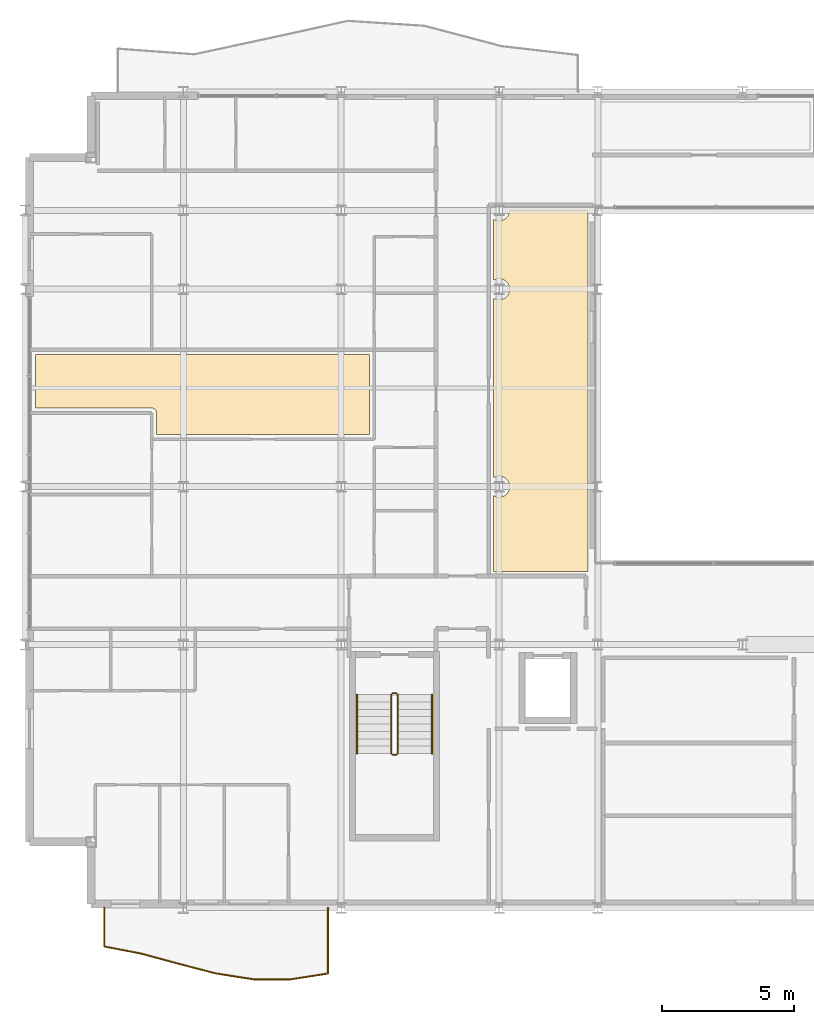
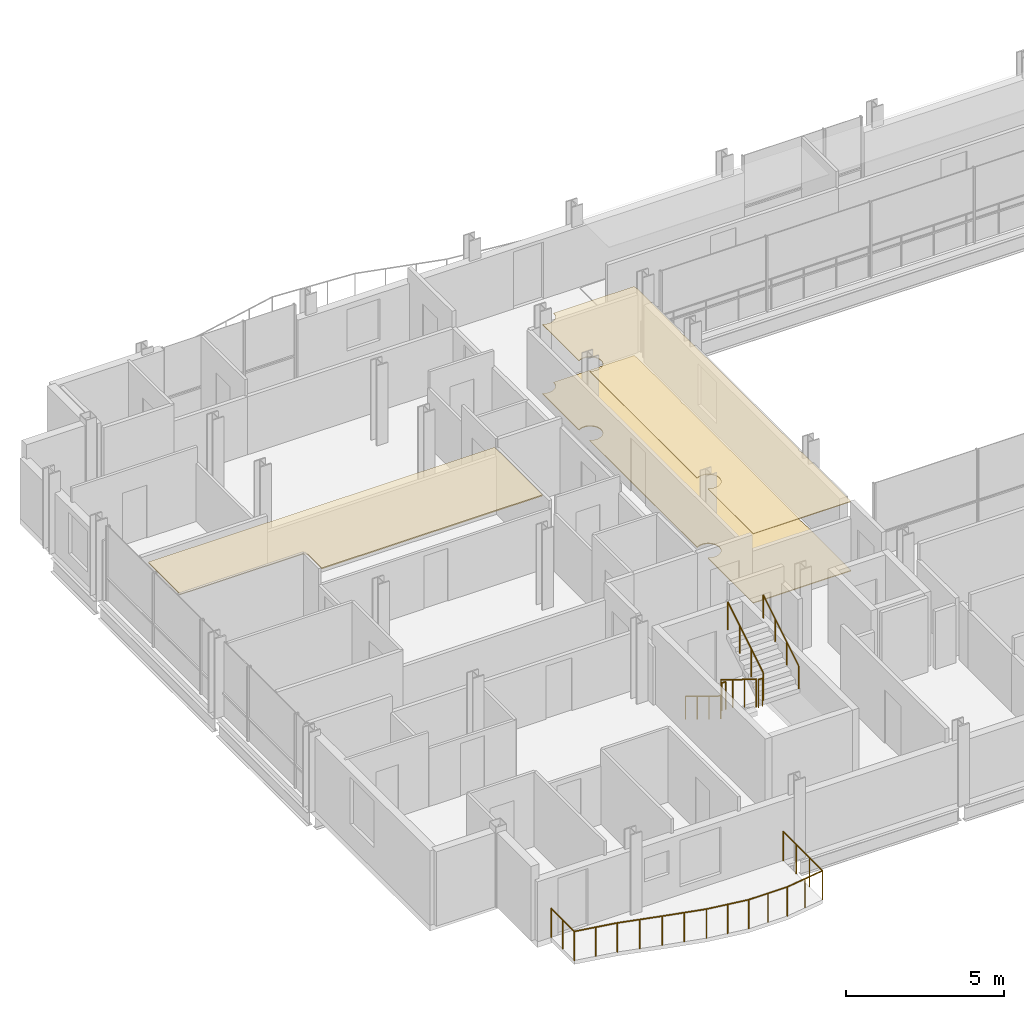
# One storey, part 39 of 41: 7 railings, 3 coverings.
"""IFC4 building model written with IfcOpenShell, lengths in metres."""

from ifc_helpers import new_model, si_unit, direction, frame, origin, origin_2d, place, context, subcontext, project, spatial, polyline, circle, outline, extrude, material, layer, layer_set, type_object, element, save


model = new_model("IFC4")

# Units and contexts
model_context = context("Model", 3, precision=1e-05, world=origin(), true_north=direction((0.0, 1.0)))
body_context = subcontext(model_context, "Body", "Model", "MODEL_VIEW")
ifc_project = project(units=[si_unit("LENGTHUNIT", "METRE"), si_unit("AREAUNIT", "SQUARE_METRE"), si_unit("VOLUMEUNIT", "CUBIC_METRE"), si_unit("PLANEANGLEUNIT", "RADIAN"), si_unit("MASSUNIT", "GRAM", prefix="KILO")], contexts=[model_context])

# Site, building, storey
site_placement = place(None, origin())
site = spatial("IfcSite", under=ifc_project, at=site_placement, CompositionType="ELEMENT")
building_placement = place(site_placement, origin())
building = spatial("IfcBuilding", under=site, at=building_placement, Name="Brevholm Reach", CompositionType="ELEMENT")
storey_placement = place(building_placement, frame((0.0, 0.0, 163.5)))
storey = spatial("IfcBuildingStorey", under=building, at=storey_placement, Name="L49", CompositionType="ELEMENT", Elevation=163.5)

# Coverings
ifc_material_1 = material(Name="Perforated Mineral-Fibre Class-A Acoustic Suspended Ceiling", Category="gypsum")
ifc_layer_1 = layer(ifc_material_1, 0.044921875)
ifc_layer_set_1 = layer_set([ifc_layer_1], Name="Perforated Mineral-Fibre Class-A Acoustic Suspended Ceiling")
covering_type_1 = type_object("IfcCoveringType", Name="COV-CLG-AC", PredefinedType="CEILING", material=ifc_layer_set_1)
covering_1_placement = place(storey_placement, frame((0.0, 0.0, 2.6650390625)))
element("IfcCovering", 1, at=covering_1_placement, inside=storey, type_object=covering_type_1, Name="L49 Suspended Ceiling L49-39", PredefinedType="CEILING", context=body_context, shape_type="SweptSolid", body=[
    extrude(outline(polyline([(0.3798828125, 21.02001953125), (13.070068359375, 21.02001953125), (13.070068359375, 17.97998046875), (4.98388671875, 17.97998046875), (4.98388671875, 18.800048828125), (4.983154296875, 18.817626953125), (4.98046875, 18.835205078125), (4.976318359375, 18.852294921875), (4.97021484375, 18.868896484375), (4.962890625, 18.884765625), (4.95361328125, 18.89990234375), (4.943115234375, 18.914306640625), (4.93994140625, 18.918212890625), (4.927978515625, 18.93115234375), (4.9150390625, 18.943115234375), (4.90087890625, 18.95361328125), (4.8857421875, 18.962646484375), (4.86962890625, 18.97021484375), (4.85302734375, 18.97607421875), (4.8359375, 18.98046875), (4.818359375, 18.98291015625), (4.80078125, 18.98388671875), (0.3798828125, 18.98388671875), (0.3798828125, 21.02001953125)])), origin(), (0.0, 0.0, 1.0), 0.044921875),
])
ifc_material_2 = material(Name="Moisture-Resistant Skimmed Gypsum Plasterboard Ceiling", Category="gypsum")
ifc_layer_2 = layer(ifc_material_2, 0.030029296875)
ifc_layer_set_2 = layer_set([ifc_layer_2], Name="Moisture-Resistant Skimmed Gypsum Plasterboard Ceiling")
covering_type_2 = type_object("IfcCoveringType", Name="COV-CLG-GYP", PredefinedType="CEILING", material=ifc_layer_set_2)
covering_2_placement = place(storey_placement, frame((0.0, 0.0, 2.679931640625)))
element("IfcCovering", 2, at=covering_2_placement, inside=storey, type_object=covering_type_2, Name="L49 Suspended Ceiling L49-55", PredefinedType="CEILING", context=body_context, shape_type="SweptSolid", body=[
    extrude(outline(polyline([(21.3701171875, 23.623779296875), (21.3671875, 23.6162109375), (21.357666015625, 23.577880859375), (21.351806640625, 23.539306640625), (21.35009765625, 23.5), (21.351806640625, 23.460693359375), (21.357666015625, 23.422119140625), (21.3671875, 23.3837890625), (21.3701171875, 23.376220703125), (21.3701171875, 16.123779296875), (21.3671875, 16.1162109375), (21.357666015625, 16.077880859375), (21.351806640625, 16.039306640625), (21.35009765625, 16.0), (21.351806640625, 15.960693359375), (21.357666015625, 15.922119140625), (21.3671875, 15.8837890625), (21.3701171875, 15.876220703125), (21.3701171875, 12.783935546875), (17.783935546875, 12.783935546875), (17.783935546875, 15.663818359375), (17.811279296875, 15.647216796875), (17.846923828125, 15.63037109375), (17.8837890625, 15.6171875), (17.922119140625, 15.607666015625), (17.960693359375, 15.601806640625), (18.0, 15.60009765625), (18.039306640625, 15.601806640625), (18.077880859375, 15.607666015625), (18.1162109375, 15.6171875), (18.153076171875, 15.63037109375), (18.188720703125, 15.647216796875), (18.22216796875, 15.66748046875), (18.25390625, 15.69091796875), (18.28271484375, 15.71728515625), (18.30908203125, 15.74609375), (18.33251953125, 15.77783203125), (18.352783203125, 15.811279296875), (18.36962890625, 15.846923828125), (18.3828125, 15.8837890625), (18.392333984375, 15.922119140625), (18.398193359375, 15.960693359375), (18.39990234375, 16.0), (18.398193359375, 16.039306640625), (18.392333984375, 16.077880859375), (18.3828125, 16.1162109375), (18.36962890625, 16.153076171875), (18.352783203125, 16.188720703125), (18.33251953125, 16.22216796875), (18.30908203125, 16.25390625), (18.28271484375, 16.28271484375), (18.25390625, 16.30908203125), (18.22216796875, 16.33251953125), (18.188720703125, 16.352783203125), (18.153076171875, 16.36962890625), (18.1162109375, 16.3828125), (18.077880859375, 16.392333984375), (18.039306640625, 16.398193359375), (18.0, 16.39990234375), (17.960693359375, 16.398193359375), (17.922119140625, 16.392333984375), (17.8837890625, 16.3828125), (17.846923828125, 16.36962890625), (17.811279296875, 16.352783203125), (17.783935546875, 16.336181640625), (17.783935546875, 23.163818359375), (17.811279296875, 23.147216796875), (17.846923828125, 23.13037109375), (17.8837890625, 23.1171875), (17.922119140625, 23.107666015625), (17.960693359375, 23.101806640625), (18.0, 23.10009765625), (18.039306640625, 23.101806640625), (18.077880859375, 23.107666015625), (18.1162109375, 23.1171875), (18.153076171875, 23.13037109375), (18.188720703125, 23.147216796875), (18.22216796875, 23.16748046875), (18.25390625, 23.19091796875), (18.28271484375, 23.21728515625), (18.30908203125, 23.24609375), (18.33251953125, 23.27783203125), (18.352783203125, 23.311279296875), (18.36962890625, 23.346923828125), (18.3828125, 23.3837890625), (18.392333984375, 23.422119140625), (18.398193359375, 23.460693359375), (18.39990234375, 23.5), (18.398193359375, 23.539306640625), (18.392333984375, 23.577880859375), (18.3828125, 23.6162109375), (18.36962890625, 23.653076171875), (18.352783203125, 23.688720703125), (18.33251953125, 23.72216796875), (18.30908203125, 23.75390625), (18.28271484375, 23.78271484375), (18.25390625, 23.80908203125), (18.22216796875, 23.83251953125), (18.188720703125, 23.852783203125), (18.153076171875, 23.86962890625), (18.1162109375, 23.8828125), (18.077880859375, 23.892333984375), (18.039306640625, 23.898193359375), (18.0, 23.89990234375), (17.960693359375, 23.898193359375), (17.922119140625, 23.892333984375), (17.8837890625, 23.8828125), (17.846923828125, 23.86962890625), (17.811279296875, 23.852783203125), (17.783935546875, 23.836181640625), (17.783935546875, 26.163818359375), (17.811279296875, 26.147216796875), (17.846923828125, 26.13037109375), (17.8837890625, 26.1171875), (17.922119140625, 26.107666015625), (17.960693359375, 26.101806640625), (18.0, 26.10009765625), (18.039306640625, 26.101806640625), (18.077880859375, 26.107666015625), (18.1162109375, 26.1171875), (18.153076171875, 26.13037109375), (18.188720703125, 26.147216796875), (18.22216796875, 26.16748046875), (18.25390625, 26.19091796875), (18.28271484375, 26.21728515625), (18.30908203125, 26.24609375), (18.33251953125, 26.27783203125), (18.352783203125, 26.311279296875), (18.36962890625, 26.346923828125), (18.3828125, 26.3837890625), (18.392333984375, 26.422119140625), (18.398193359375, 26.460693359375), (18.39990234375, 26.5), (18.399169921875, 26.51611328125), (21.350830078125, 26.51611328125), (21.35009765625, 26.5), (21.351806640625, 26.460693359375), (21.357666015625, 26.422119140625), (21.3671875, 26.3837890625), (21.3701171875, 26.376220703125), (21.3701171875, 23.623779296875)])), origin(), (0.0, 0.0, 1.0), 0.030029296875),
])
ifc_material_3 = material(Name="Honed Portland-Aggregate Resin Terrazzo Flooring", Category="concrete")
ifc_layer_3 = layer(ifc_material_3, 0.031982421875)
ifc_layer_set_3 = layer_set([ifc_layer_3], Name="Honed Portland-Aggregate Resin Terrazzo Flooring")
covering_type_3 = type_object("IfcCoveringType", Name="COV-FLR-TRZ", PredefinedType="FLOORING", material=ifc_layer_set_3)
covering_3_placement = place(storey_placement, origin())
element("IfcCovering", 3, at=covering_3_placement, inside=storey, type_object=covering_type_3, Name="L49 Floor Finish L49-55", PredefinedType="FLOORING", context=body_context, shape_type="SweptSolid", body=[
    extrude(outline(polyline([(21.3701171875, 23.623779296875), (21.3671875, 23.6162109375), (21.357666015625, 23.577880859375), (21.351806640625, 23.539306640625), (21.35009765625, 23.5), (21.351806640625, 23.460693359375), (21.357666015625, 23.422119140625), (21.3671875, 23.3837890625), (21.3701171875, 23.376220703125), (21.3701171875, 16.123779296875), (21.3671875, 16.1162109375), (21.357666015625, 16.077880859375), (21.351806640625, 16.039306640625), (21.35009765625, 16.0), (21.351806640625, 15.960693359375), (21.357666015625, 15.922119140625), (21.3671875, 15.8837890625), (21.3701171875, 15.876220703125), (21.3701171875, 12.783935546875), (17.783935546875, 12.783935546875), (17.783935546875, 15.663818359375), (17.811279296875, 15.647216796875), (17.846923828125, 15.63037109375), (17.8837890625, 15.6171875), (17.922119140625, 15.607666015625), (17.960693359375, 15.601806640625), (18.0, 15.60009765625), (18.039306640625, 15.601806640625), (18.077880859375, 15.607666015625), (18.1162109375, 15.6171875), (18.153076171875, 15.63037109375), (18.188720703125, 15.647216796875), (18.22216796875, 15.66748046875), (18.25390625, 15.69091796875), (18.28271484375, 15.71728515625), (18.30908203125, 15.74609375), (18.33251953125, 15.77783203125), (18.352783203125, 15.811279296875), (18.36962890625, 15.846923828125), (18.3828125, 15.8837890625), (18.392333984375, 15.922119140625), (18.398193359375, 15.960693359375), (18.39990234375, 16.0), (18.398193359375, 16.039306640625), (18.392333984375, 16.077880859375), (18.3828125, 16.1162109375), (18.36962890625, 16.153076171875), (18.352783203125, 16.188720703125), (18.33251953125, 16.22216796875), (18.30908203125, 16.25390625), (18.28271484375, 16.28271484375), (18.25390625, 16.30908203125), (18.22216796875, 16.33251953125), (18.188720703125, 16.352783203125), (18.153076171875, 16.36962890625), (18.1162109375, 16.3828125), (18.077880859375, 16.392333984375), (18.039306640625, 16.398193359375), (18.0, 16.39990234375), (17.960693359375, 16.398193359375), (17.922119140625, 16.392333984375), (17.8837890625, 16.3828125), (17.846923828125, 16.36962890625), (17.811279296875, 16.352783203125), (17.783935546875, 16.336181640625), (17.783935546875, 23.163818359375), (17.811279296875, 23.147216796875), (17.846923828125, 23.13037109375), (17.8837890625, 23.1171875), (17.922119140625, 23.107666015625), (17.960693359375, 23.101806640625), (18.0, 23.10009765625), (18.039306640625, 23.101806640625), (18.077880859375, 23.107666015625), (18.1162109375, 23.1171875), (18.153076171875, 23.13037109375), (18.188720703125, 23.147216796875), (18.22216796875, 23.16748046875), (18.25390625, 23.19091796875), (18.28271484375, 23.21728515625), (18.30908203125, 23.24609375), (18.33251953125, 23.27783203125), (18.352783203125, 23.311279296875), (18.36962890625, 23.346923828125), (18.3828125, 23.3837890625), (18.392333984375, 23.422119140625), (18.398193359375, 23.460693359375), (18.39990234375, 23.5), (18.398193359375, 23.539306640625), (18.392333984375, 23.577880859375), (18.3828125, 23.6162109375), (18.36962890625, 23.653076171875), (18.352783203125, 23.688720703125), (18.33251953125, 23.72216796875), (18.30908203125, 23.75390625), (18.28271484375, 23.78271484375), (18.25390625, 23.80908203125), (18.22216796875, 23.83251953125), (18.188720703125, 23.852783203125), (18.153076171875, 23.86962890625), (18.1162109375, 23.8828125), (18.077880859375, 23.892333984375), (18.039306640625, 23.898193359375), (18.0, 23.89990234375), (17.960693359375, 23.898193359375), (17.922119140625, 23.892333984375), (17.8837890625, 23.8828125), (17.846923828125, 23.86962890625), (17.811279296875, 23.852783203125), (17.783935546875, 23.836181640625), (17.783935546875, 26.163818359375), (17.811279296875, 26.147216796875), (17.846923828125, 26.13037109375), (17.8837890625, 26.1171875), (17.922119140625, 26.107666015625), (17.960693359375, 26.101806640625), (18.0, 26.10009765625), (18.039306640625, 26.101806640625), (18.077880859375, 26.107666015625), (18.1162109375, 26.1171875), (18.153076171875, 26.13037109375), (18.188720703125, 26.147216796875), (18.22216796875, 26.16748046875), (18.25390625, 26.19091796875), (18.28271484375, 26.21728515625), (18.30908203125, 26.24609375), (18.33251953125, 26.27783203125), (18.352783203125, 26.311279296875), (18.36962890625, 26.346923828125), (18.3828125, 26.3837890625), (18.392333984375, 26.422119140625), (18.398193359375, 26.460693359375), (18.39990234375, 26.5), (18.399169921875, 26.51611328125), (21.350830078125, 26.51611328125), (21.35009765625, 26.5), (21.351806640625, 26.460693359375), (21.357666015625, 26.422119140625), (21.3671875, 26.3837890625), (21.3701171875, 26.376220703125), (21.3701171875, 23.623779296875)])), origin(), (0.0, 0.0, 1.0), 0.031982421875),
])

# Railings
ifc_material_4 = material(Name="Brushed Stainless Steel EN 1.4401 and Laminated Glass", Category="steel")
railing_type_1 = type_object("IfcRailingType", Name="RAL-BALC-1150", PredefinedType="BALUSTRADE", material=ifc_material_4)
railing_1_placement = place(storey_placement, frame((3.0, 0.0, 0.0)))
element("IfcRailing", 4, at=railing_1_placement, inside=storey, type_object=railing_type_1, Name="L49 Guard Balustrade RAL-L49-BAL-SW", PredefinedType="BALUSTRADE", context=body_context, shape_type="SweptSolid", body=[
    extrude(circle(Radius=0.02392578125, at=origin_2d()), frame((0.0, 0.0, 1.1259765625), z_axis=(0.0, -1.0, 0.0), x_axis=(1.0, 0.0, 0.0)), (0.0, 0.0, 1.0), 1.4736328125),
    extrude(circle(Radius=0.02392578125, at=origin_2d()), frame((0.0, -1.4736328125, 1.1259765625), z_axis=(0.981784941083, -0.189995603797, 0.0), x_axis=(0.189995603797, 0.981784941083, 0.0)), (0.0, 0.0, 1.0), 1.443115234375),
    extrude(circle(Radius=0.02392578125, at=origin_2d()), frame((1.416748046875, -1.747802734375, 1.1259765625), z_axis=(0.964821360478, -0.262906337628, 0.0), x_axis=(0.262906337628, 0.964821360478, 0.0)), (0.0, 0.0, 1.0), 1.46826171875),
    extrude(circle(Radius=0.02392578125, at=origin_2d()), frame((2.833251953125, -2.1337890625, 1.1259765625), z_axis=(0.968218696825, -0.250105088151, 0.0), x_axis=(0.250105088151, 0.968218696825, 0.0)), (0.0, 0.0, 1.0), 1.463134765625),
    extrude(circle(Radius=0.02392578125, at=origin_2d()), frame((4.25, -2.499755859375, 1.1259765625), z_axis=(0.988082538492, -0.153924972393, 0.0), x_axis=(0.153924972393, 0.988082538492, 0.0)), (0.0, 0.0, 1.0), 1.433837890625),
    extrude(circle(Radius=0.02392578125, at=origin_2d()), frame((5.666748046875, -2.720458984375, 1.1259765625), z_axis=(1.0, 0.0, 0.0), x_axis=(0.0, 1.0, 0.0)), (0.0, 0.0, 1.0), 1.41650390625),
    extrude(circle(Radius=0.02392578125, at=origin_2d()), frame((7.083251953125, -2.720458984375, 1.1259765625), z_axis=(0.988082538492, 0.153924972393, 0.0), x_axis=(-0.153924972393, 0.988082538492, 0.0)), (0.0, 0.0, 1.0), 1.433837890625),
    extrude(circle(Radius=0.02392578125, at=origin_2d()), frame((8.5, -2.499755859375, 1.1259765625), z_axis=(0.0, 1.0, 0.0), x_axis=(-1.0, 0.0, 0.0)), (0.0, 0.0, 1.0), 2.499755859375),
    extrude(circle(Radius=0.02099609375, at=origin_2d()), origin(), (0.0, 0.0, 1.0), 1.101806640625),
    extrude(circle(Radius=0.02099609375, at=origin_2d()), frame((0.0, -0.73681640625, 0.0)), (0.0, 0.0, 1.0), 1.101806640625),
    extrude(circle(Radius=0.02099609375, at=origin_2d()), frame((0.0, -1.4736328125, 0.0)), (0.0, 0.0, 1.0), 1.101806640625),
    extrude(circle(Radius=0.02099609375, at=origin_2d()), frame((0.70849609375, -1.61083984375, 0.0)), (0.0, 0.0, 1.0), 1.101806640625),
    extrude(circle(Radius=0.02099609375, at=origin_2d()), frame((1.416748046875, -1.747802734375, 0.0)), (0.0, 0.0, 1.0), 1.101806640625),
    extrude(circle(Radius=0.02099609375, at=origin_2d()), frame((2.125, -1.94091796875, 0.0)), (0.0, 0.0, 1.0), 1.101806640625),
    extrude(circle(Radius=0.02099609375, at=origin_2d()), frame((2.833251953125, -2.1337890625, 0.0)), (0.0, 0.0, 1.0), 1.101806640625),
    extrude(circle(Radius=0.02099609375, at=origin_2d()), frame((3.54150390625, -2.31689453125, 0.0)), (0.0, 0.0, 1.0), 1.101806640625),
    extrude(circle(Radius=0.02099609375, at=origin_2d()), frame((4.25, -2.499755859375, 0.0)), (0.0, 0.0, 1.0), 1.101806640625),
    extrude(circle(Radius=0.02099609375, at=origin_2d()), frame((4.95849609375, -2.610107421875, 0.0)), (0.0, 0.0, 1.0), 1.101806640625),
    extrude(circle(Radius=0.02099609375, at=origin_2d()), frame((5.666748046875, -2.720458984375, 0.0)), (0.0, 0.0, 1.0), 1.101806640625),
    extrude(circle(Radius=0.02099609375, at=origin_2d()), frame((6.375, -2.720458984375, 0.0)), (0.0, 0.0, 1.0), 1.101806640625),
    extrude(circle(Radius=0.02099609375, at=origin_2d()), frame((7.083251953125, -2.720458984375, 0.0)), (0.0, 0.0, 1.0), 1.101806640625),
    extrude(circle(Radius=0.02099609375, at=origin_2d()), frame((7.79150390625, -2.610107421875, 0.0)), (0.0, 0.0, 1.0), 1.101806640625),
    extrude(circle(Radius=0.02099609375, at=origin_2d()), frame((8.5, -2.499755859375, 0.0)), (0.0, 0.0, 1.0), 1.101806640625),
    extrude(circle(Radius=0.02099609375, at=origin_2d()), frame((8.5, -1.66650390625, 0.0)), (0.0, 0.0, 1.0), 1.101806640625),
    extrude(circle(Radius=0.02099609375, at=origin_2d()), frame((8.5, -0.833251953125, 0.0)), (0.0, 0.0, 1.0), 1.101806640625),
    extrude(circle(Radius=0.02099609375, at=origin_2d()), frame((8.5, 0.0, 0.0)), (0.0, 0.0, 1.0), 1.101806640625),
])
ifc_material_5 = material(Name="Brushed Stainless Steel EN 1.4401 Continuous Handrail", Category="steel")
railing_type_2 = type_object("IfcRailingType", Name="RAL-HND-950", PredefinedType="HANDRAIL", material=ifc_material_5)
railing_2_placement = place(storey_placement, frame((12.60009765625, 8.10009765625, 0.172119140625)))
element("IfcRailing", 5, at=railing_2_placement, inside=storey, type_object=railing_type_2, Name="L49 ST-1 stair handrail 1", PredefinedType="HANDRAIL", context=body_context, shape_type="SweptSolid", body=[
    extrude(circle(Radius=0.02392578125, at=origin_2d()), frame((0.0, 0.0, 0.8857421875), z_axis=(0.0, -0.851747552033, 0.523952390591), x_axis=(1.0, 0.0, 0.0)), (0.0, 0.0, 1.0), 2.6298828125),
    extrude(circle(Radius=0.02099609375, at=origin_2d()), origin(), (0.0, 0.0, 1.0), 0.86181640625),
    extrude(circle(Radius=0.02099609375, at=origin_2d()), frame((0.0, -0.74658203125, 0.459228515625)), (0.0, 0.0, 1.0), 0.86181640625),
    extrude(circle(Radius=0.02099609375, at=origin_2d()), frame((0.0, -1.493408203125, 0.918701171875)), (0.0, 0.0, 1.0), 0.86181640625),
    extrude(circle(Radius=0.02099609375, at=origin_2d()), frame((0.0, -2.239990234375, 1.3779296875)), (0.0, 0.0, 1.0), 0.86181640625),
])
railing_3_placement = place(storey_placement, frame((15.449951171875, 5.860107421875, 1.72216796875)))
element("IfcRailing", 6, at=railing_3_placement, inside=storey, type_object=railing_type_2, Name="L49 ST-1 stair handrail 2", PredefinedType="HANDRAIL", context=body_context, shape_type="SweptSolid", body=[
    extrude(circle(Radius=0.02392578125, at=origin_2d()), frame((0.0, 0.0, 0.8857421875), z_axis=(0.0, 0.851747552033, 0.523952390591), x_axis=(-1.0, 0.0, 0.0)), (0.0, 0.0, 1.0), 2.6298828125),
    extrude(circle(Radius=0.02099609375, at=origin_2d()), origin(), (0.0, 0.0, 1.0), 0.86181640625),
    extrude(circle(Radius=0.02099609375, at=origin_2d()), frame((0.0, 0.74658203125, 0.459228515625)), (0.0, 0.0, 1.0), 0.86181640625),
    extrude(circle(Radius=0.02099609375, at=origin_2d()), frame((0.0, 1.493408203125, 0.918701171875)), (0.0, 0.0, 1.0), 0.86181640625),
    extrude(circle(Radius=0.02099609375, at=origin_2d()), frame((0.0, 2.239990234375, 1.3779296875)), (0.0, 0.0, 1.0), 0.86181640625),
])
ifc_material_6 = material(Name="Painted Tubular Galvanised Steel S275JR Stair Guard", Category="steel")
railing_type_3 = type_object("IfcRailingType", Name="RAL-STG-1120", PredefinedType="BALUSTRADE", material=ifc_material_6)
railing_4_placement = place(storey_placement, frame((13.89990234375, 8.10009765625, 0.172119140625)))
element("IfcRailing", 7, at=railing_4_placement, inside=storey, type_object=railing_type_3, Name="L49 ST-1 stair guard 1", PredefinedType="BALUSTRADE", context=body_context, shape_type="SweptSolid", body=[
    extrude(circle(Radius=0.02392578125, at=origin_2d()), frame((0.0, 0.0, 1.076171875), z_axis=(0.0, -0.851747552033, 0.523952390591), x_axis=(1.0, 0.0, 0.0)), (0.0, 0.0, 1.0), 2.6298828125),
    extrude(circle(Radius=0.02099609375, at=origin_2d()), origin(), (0.0, 0.0, 1.0), 1.052001953125),
    extrude(circle(Radius=0.02099609375, at=origin_2d()), frame((0.0, -0.74658203125, 0.459228515625)), (0.0, 0.0, 1.0), 1.052001953125),
    extrude(circle(Radius=0.02099609375, at=origin_2d()), frame((0.0, -1.493408203125, 0.918701171875)), (0.0, 0.0, 1.0), 1.052001953125),
    extrude(circle(Radius=0.02099609375, at=origin_2d()), frame((0.0, -2.239990234375, 1.3779296875)), (0.0, 0.0, 1.0), 1.052001953125),
])
railing_5_placement = place(storey_placement, frame((13.949951171875, 5.81005859375, 1.550048828125)))
element("IfcRailing", 8, at=railing_5_placement, inside=storey, type_object=railing_type_3, Name="L49 ST-1 stair guard 2", PredefinedType="BALUSTRADE", context=body_context, shape_type="SweptSolid", body=[
    extrude(circle(Radius=0.02392578125, at=origin_2d()), frame((0.0, 0.0, 1.076171875), z_axis=(1.0, 0.0, 0.0), x_axis=(0.0, 1.0, 0.0)), (0.0, 0.0, 1.0), 0.150146484375),
    extrude(circle(Radius=0.02099609375, at=origin_2d()), origin(), (0.0, 0.0, 1.0), 1.052001953125),
    extrude(circle(Radius=0.02099609375, at=origin_2d()), frame((0.150146484375, 0.0, 0.0)), (0.0, 0.0, 1.0), 1.052001953125),
])
railing_6_placement = place(storey_placement, frame((14.14990234375, 5.860107421875, 1.72216796875)))
element("IfcRailing", 9, at=railing_6_placement, inside=storey, type_object=railing_type_3, Name="L49 ST-1 stair guard 3", PredefinedType="BALUSTRADE", context=body_context, shape_type="SweptSolid", body=[
    extrude(circle(Radius=0.02392578125, at=origin_2d()), frame((0.0, 0.0, 1.076171875), z_axis=(0.0, 0.851747552033, 0.523952390591), x_axis=(-1.0, 0.0, 0.0)), (0.0, 0.0, 1.0), 2.6298828125),
    extrude(circle(Radius=0.02099609375, at=origin_2d()), origin(), (0.0, 0.0, 1.0), 1.052001953125),
    extrude(circle(Radius=0.02099609375, at=origin_2d()), frame((0.0, 0.74658203125, 0.459228515625)), (0.0, 0.0, 1.0), 1.052001953125),
    extrude(circle(Radius=0.02099609375, at=origin_2d()), frame((0.0, 1.493408203125, 0.918701171875)), (0.0, 0.0, 1.0), 1.052001953125),
    extrude(circle(Radius=0.02099609375, at=origin_2d()), frame((0.0, 2.239990234375, 1.3779296875)), (0.0, 0.0, 1.0), 1.052001953125),
])
railing_7_placement = place(storey_placement, frame((13.949951171875, 8.14990234375, 0.0)))
element("IfcRailing", 10, at=railing_7_placement, inside=storey, type_object=railing_type_3, Name="L49 ST-1 stair guard 4", PredefinedType="BALUSTRADE", context=body_context, shape_type="SweptSolid", body=[
    extrude(circle(Radius=0.02392578125, at=origin_2d()), frame((0.0, 0.0, 1.076171875), z_axis=(1.0, 0.0, 0.0), x_axis=(0.0, 1.0, 0.0)), (0.0, 0.0, 1.0), 0.150146484375),
    extrude(circle(Radius=0.02099609375, at=origin_2d()), origin(), (0.0, 0.0, 1.0), 1.052001953125),
    extrude(circle(Radius=0.02099609375, at=origin_2d()), frame((0.150146484375, 0.0, 0.0)), (0.0, 0.0, 1.0), 1.052001953125),
])

save(model, "model.ifc")
